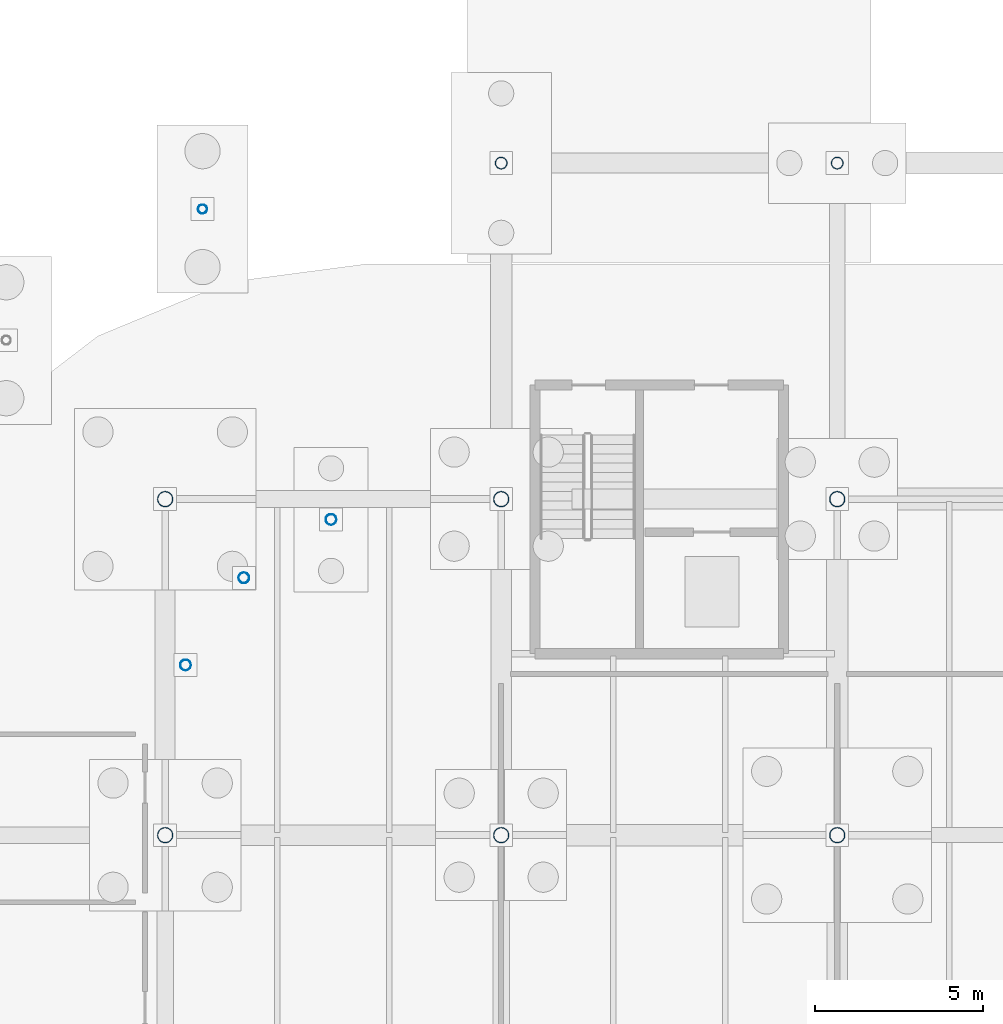
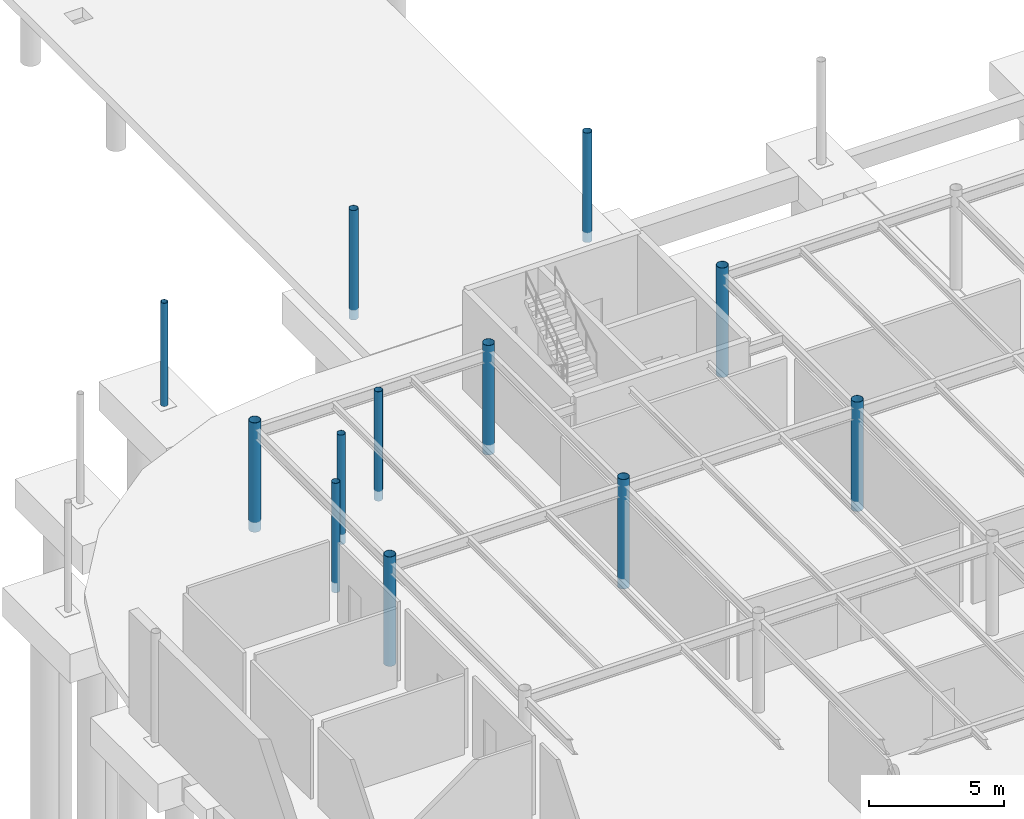
# One storey, part 23 of 75: 12 columns.
"""IFC4 building model written with IfcOpenShell, lengths in metres."""

import ifcopenshell
import ifcopenshell.guid

model = None  # the IFC model being written
_history = None  # IfcOwnerHistory: only IFC2X3 demands one
_inside = {}  # id of a spatial element -> (the spatial element, [elements in it])
_under = {}  # id of a project, library or spatial element -> (it, [spatial elements below it])
_declared = {}  # id of a project -> (the project, [libraries it declares])
_typed = {}  # id of a type object -> (the type object, [elements of that type])
_made_of = {}  # id of a material, layer set ... -> (it, [elements and type objects made of it])


def new_model(schema):
    """Start an empty IFC model of exactly this schema.

    Asked for "IFC4X3", IfcOpenShell would pick the latest addendum, in which some entities
    have other attributes; the version numbers below select the first issue.
    IFC2X3 requires an IfcOwnerHistory on every rooted entity: one is made here for all.
    """
    global model, _history
    if schema == "IFC4X3":
        model = ifcopenshell.file(schema_version=(4, 3, 0, 0))
    else:
        model = ifcopenshell.file(schema=schema)
    _inside.clear()
    _under.clear()
    _declared.clear()
    _typed.clear()
    _made_of.clear()
    _history = None
    if model.schema == "IFC2X3":
        org = make("IfcOrganization", Name="unknown")
        user = make(
            "IfcPersonAndOrganization",
            ThePerson=make("IfcPerson", FamilyName="unknown"),
            TheOrganization=org,
        )
        app = make(
            "IfcApplication",
            ApplicationDeveloper=org,
            Version="unknown",
            ApplicationFullName="unknown",
            ApplicationIdentifier="unknown",
        )
        _history = make(
            "IfcOwnerHistory",
            OwningUser=user,
            OwningApplication=app,
            ChangeAction="ADDED",
            CreationDate=0,
        )
    return model


def make(cls, **values):
    """One entity of the class cls with the attributes given. An attribute that is None is left unset."""
    return model.create_entity(
        cls, **{name: value for name, value in values.items() if value is not None}
    )


def rooted(cls, **values):
    """An entity with a GlobalId (a new one), such as an element, a storey or a relation."""
    return make(cls, GlobalId=ifcopenshell.guid.new(), OwnerHistory=_history, **values)


def si_unit(unit_type, name, prefix=None):
    """IfcSIUnit, for example si_unit("LENGTHUNIT", "METRE", prefix="MILLI")."""
    return make("IfcSIUnit", UnitType=unit_type, Prefix=prefix, Name=name)


def derived_unit(unit_type, elements):
    """IfcDerivedUnit: a product of units, each with its exponent."""
    return make(
        "IfcDerivedUnit",
        Elements=[
            make("IfcDerivedUnitElement", Unit=unit, Exponent=power)
            for unit, power in elements
        ],
        UnitType=unit_type,
    )


def assignment(units):
    """IfcUnitAssignment: the units of a project."""
    return None if units is None else make("IfcUnitAssignment", Units=units)


def point(xyz):
    """IfcCartesianPoint."""
    return None if xyz is None else make("IfcCartesianPoint", Coordinates=xyz)


def direction(xyz):
    """IfcDirection."""
    return None if xyz is None else make("IfcDirection", DirectionRatios=xyz)


def frame(location, z_axis=None, x_axis=None):
    """IfcAxis2Placement3D, a coordinate frame: its origin and axes. An axis left out is left unset."""
    return make(
        "IfcAxis2Placement3D",
        Location=point(location),
        Axis=direction(z_axis),
        RefDirection=direction(x_axis),
    )


def frame_2d(location, x_axis=None):
    """IfcAxis2Placement2D, a coordinate frame in the plane: its origin and x axis."""
    return make(
        "IfcAxis2Placement2D", Location=point(location), RefDirection=direction(x_axis)
    )


def origin():
    """The frame at (0, 0, 0) with its axes left unset."""
    return frame((0.0, 0.0, 0.0))


def origin_2d_with_axis():
    """The frame at (0, 0) in the plane with the x axis (1, 0) written out."""
    return frame_2d((0.0, 0.0), x_axis=(1.0, 0.0))


def place(relative_to, where):
    """IfcLocalPlacement: puts the frame where relative to a parent placement (None: the world)."""
    return make(
        "IfcLocalPlacement", PlacementRelTo=relative_to, RelativePlacement=where
    )


def context(
    kind, dimensions, precision=None, world=None, true_north=None, identifier=None
):
    """IfcGeometricRepresentationContext, for example the 3D "Model" context."""
    return make(
        "IfcGeometricRepresentationContext",
        ContextIdentifier=identifier,
        ContextType=kind,
        CoordinateSpaceDimension=dimensions,
        Precision=precision,
        WorldCoordinateSystem=world,
        TrueNorth=true_north,
    )


def subcontext(parent, identifier, kind, view, scale=None):
    """IfcGeometricRepresentationSubContext, for example "Body" below "Model"."""
    return make(
        "IfcGeometricRepresentationSubContext",
        ContextIdentifier=identifier,
        ContextType=kind,
        ParentContext=parent,
        TargetScale=scale,
        TargetView=view,
    )


def project(units=None, contexts=None):
    """IfcProject with its units and contexts."""
    return rooted(
        "IfcProject",
        Name="project",
        RepresentationContexts=contexts,
        UnitsInContext=assignment(units),
    )


def spatial(cls, under=None, at=None, **own):
    """A site, building, storey or space (cls), placed at a placement, below another one or the project."""
    s = rooted(cls, ObjectPlacement=at, **own)
    if under is not None:
        _under.setdefault(under.id(), (under, []))[1].append(s)
    return s


def profile(cls, at=None, kind="AREA", **sizes):
    """A parametric profile (cls). Its sizes go by their IFC names, for example OverallWidth=200.0."""
    return make(cls, ProfileType=kind, Position=at, **sizes)


def hollow_circle(**sizes):
    """IfcCircleHollowProfileDef."""
    return profile("IfcCircleHollowProfileDef", **sizes)


def extrude(swept, where, along, depth):
    """IfcExtrudedAreaSolid: the profile swept, set in the frame where, extruded along a direction by depth."""
    return make(
        "IfcExtrudedAreaSolid",
        SweptArea=swept,
        Position=where,
        ExtrudedDirection=direction(along),
        Depth=depth,
    )


def shape(context_of_items, identifier, shape_type, items):
    """IfcShapeRepresentation: the items that make up one representation, for example the "Body"."""
    return make(
        "IfcShapeRepresentation",
        ContextOfItems=context_of_items,
        RepresentationIdentifier=identifier,
        RepresentationType=shape_type,
        Items=items,
    )


def material(Name=None, Category=None):
    """IfcMaterial."""
    return make("IfcMaterial", Name=Name, Category=Category)


def material_profile(
    of_material, cross_section, Name=None, Category=None, Priority=None
):
    """IfcMaterialProfile: a cross section and its material."""
    return make(
        "IfcMaterialProfile",
        Name=Name,
        Material=of_material,
        Profile=cross_section,
        Priority=Priority,
        Category=Category,
    )


def profile_set(profiles, Name=None, composite=None):
    """IfcMaterialProfileSet."""
    return make(
        "IfcMaterialProfileSet",
        Name=Name,
        MaterialProfiles=profiles,
        CompositeProfile=composite,
    )


def made_of(thing, what):
    """Note that an element or type object is made of a material, layer set ...; save() writes the relation."""
    if what is not None:
        _made_of.setdefault(what.id(), (what, []))[1].append(thing)
    return thing


def type_object(cls, material=None, **own):
    """A type object (cls), such as IfcWallType, which elements share."""
    return made_of(rooted(cls, **own), material)


def element(
    cls,
    number,
    at=None,
    inside=None,
    cuts=None,
    type_object=None,
    material=None,
    context=None,
    identifier="Body",
    shape_type=None,
    held_by="IfcProductDefinitionShape",
    body=None,
    shapes=None,
    **own,
):
    """One element of the class cls, such as IfcWall. Its Tag is "e" and its number.

    at: its placement. inside: the storey or other place that contains it. cuts: it is an
    opening in that element (IfcRelVoidsElement). A single representation is given by context,
    identifier, shape_type and body (its items); several are given by shapes. held_by: the class
    of the entity that holds the representations. save() writes the other relations.
    """
    e = rooted(cls, Tag="e%d" % number, ObjectPlacement=at, **own)
    if body is not None:
        shapes = [shape(context, identifier, shape_type, body)]
    if shapes is not None:
        e.Representation = make(held_by, Representations=shapes)
    if inside is not None:
        _inside.setdefault(inside.id(), (inside, []))[1].append(e)
    if cuts is not None:
        rooted(
            "IfcRelVoidsElement", RelatingBuildingElement=cuts, RelatedOpeningElement=e
        )
    if type_object is not None:
        _typed.setdefault(type_object.id(), (type_object, []))[1].append(e)
    return made_of(e, material)


def aggregate(whole, parts):
    """IfcRelAggregates: a whole, such as a stair, and the parts it consists of."""
    return rooted("IfcRelAggregates", RelatingObject=whole, RelatedObjects=parts)


def save(model, path):
    """Write the relations noted so far, then the file.

    IfcRelAggregates (storeys below a building ...), IfcRelContainedInSpatialStructure (elements
    in a storey), IfcRelDefinesByType, IfcRelAssociatesMaterial and IfcRelDeclares: one each for
    every whole, place, type object, material and project.
    """
    for whole, parts in _under.values():
        aggregate(whole, parts)
    for where, things in _inside.values():
        rooted(
            "IfcRelContainedInSpatialStructure",
            RelatedElements=things,
            RelatingStructure=where,
        )
    for kind, things in _typed.values():
        rooted("IfcRelDefinesByType", RelatedObjects=things, RelatingType=kind)
    for what, things in _made_of.values():
        rooted("IfcRelAssociatesMaterial", RelatedObjects=things, RelatingMaterial=what)
    for by, libraries in _declared.values():
        rooted("IfcRelDeclares", RelatingContext=by, RelatedDefinitions=libraries)
    model.write(path)


model = new_model("IFC4")

# Units and contexts
model_context = context("Model", 3, precision=1e-05, world=origin(), true_north=direction((0.0, 1.0)))
body_context = subcontext(model_context, "Body", "Model", "MODEL_VIEW")
ifc_project = project(units=[si_unit("LENGTHUNIT", "METRE"), si_unit("AREAUNIT", "SQUARE_METRE"), si_unit("VOLUMEUNIT", "CUBIC_METRE"), si_unit("PLANEANGLEUNIT", "RADIAN"), si_unit("MASSUNIT", "GRAM", prefix="KILO"), derived_unit("THERMALTRANSMITTANCEUNIT", [(si_unit("POWERUNIT", "WATT"), 1), (si_unit("LENGTHUNIT", "METRE"), -2), (si_unit("THERMODYNAMICTEMPERATUREUNIT", "KELVIN"), -1)])], contexts=[model_context])

# Site, building, storey
site_placement = place(None, origin())
site = spatial("IfcSite", under=ifc_project, at=site_placement, CompositionType="ELEMENT")
building_placement = place(site_placement, origin())
building = spatial("IfcBuilding", under=site, at=building_placement, Name="Cinnabar Yard Market Hall", CompositionType="ELEMENT")
storey_placement = place(building_placement, frame((0.0, 0.0, -4.5)))
storey = spatial("IfcBuildingStorey", under=building, at=storey_placement, Name="B1", CompositionType="ELEMENT", Elevation=-4.5)

# Columns
ifc_material = material(Name="Spotted-gum glulam-clad steel Grade 350 (350 MPa)", Category="steel")
ifc_material_profile_1 = material_profile(ifc_material, hollow_circle(Radius=0.228515625, WallThickness=0.0126953125, at=origin_2d_with_axis()), Name="457.0x12.7CHS")
ifc_profile_set_1 = profile_set([ifc_material_profile_1], Name="Spotted-gum glulam-clad steel Grade 350 (350 MPa)")
column_type_1 = type_object("IfcColumnType", Name="COL-C01", PredefinedType="COLUMN", material=ifc_profile_set_1)
for number, where, z_axis, x_axis, name in (
    (1, (76.0, 54.0, -0.449951171875), (0.0, 0.0, 1.0), (1.0, 0.0, 0.0), "Tree Column V1I-01-04 B1"),
    (2, (76.0, 64.0, -0.449951171875), (0.0, 0.0, 1.0), (1.0, 0.0, 0.0), "Tree Column V1I-01-05 B1"),
    (3, (86.0, 54.0, -0.449951171875), (0.0, 0.0, 1.0), (1.0, 0.0, 0.0), "Tree Column V1I-02-04 B1"),
    (4, (86.0, 64.0, -0.449951171875), (0.0, 0.0, 1.0), (1.0, 0.0, 0.0), "Tree Column V1I-02-05 B1"),
    (5, (96.0, 54.0, -0.449951171875), (0.0, 0.0, 1.0), (1.0, 0.0, 0.0), "Tree Column V1I-03-04 B1"),
    (6, (96.0, 64.0, -0.449951171875), (0.0, 0.0, 1.0), (1.0, 0.0, 0.0), "Tree Column V1I-03-05 B1"),
):
    element("IfcColumn", number, at=place(storey_placement, frame(where, z_axis=z_axis, x_axis=x_axis)), inside=storey, type_object=column_type_1, Name=name, PredefinedType="COLUMN", context=body_context, shape_type="SweptSolid", body=[
        extrude(hollow_circle(Radius=0.228515625, WallThickness=0.0126953125, at=origin_2d_with_axis()), origin(), (0.0, 0.0, 1.0), 4.949951171875),
    ])
ifc_material_profile_2 = material_profile(ifc_material, hollow_circle(Radius=0.177734375, WallThickness=0.0126953125, at=origin_2d_with_axis()), Name="355.6x12.7CHS")
ifc_profile_set_2 = profile_set([ifc_material_profile_2], Name="Spotted-gum glulam-clad steel Grade 350 (350 MPa)")
column_type_2 = type_object("IfcColumnType", Name="COL-C02", PredefinedType="COLUMN", material=ifc_profile_set_2)
for number, where, z_axis, x_axis, name in (
    (7, (86.0, 74.0, -0.449951171875), (0.0, 0.0, 1.0), (1.0, 0.0, 0.0), "Tree Column V1N-01 B1"),
    (8, (96.0, 74.0, -0.449951171875), (0.0, 0.0, 1.0), (1.0, 0.0, 0.0), "Tree Column V1N-02 B1"),
):
    element("IfcColumn", number, at=place(storey_placement, frame(where, z_axis=z_axis, x_axis=x_axis)), inside=storey, type_object=column_type_2, Name=name, PredefinedType="COLUMN", context=body_context, shape_type="SweptSolid", body=[
        extrude(hollow_circle(Radius=0.177734375, WallThickness=0.0126953125, at=origin_2d_with_axis()), origin(), (0.0, 0.0, 1.0), 4.949951171875),
    ])
ifc_material_profile_3 = material_profile(ifc_material, hollow_circle(Radius=0.161865234375, WallThickness=0.009521484375, at=origin_2d_with_axis()), Name="323.9x9.5CHS")
ifc_profile_set_3 = profile_set([ifc_material_profile_3], Name="Spotted-gum glulam-clad steel Grade 350 (350 MPa)")
column_type_3 = type_object("IfcColumnType", Name="COL-C03", PredefinedType="COLUMN", material=ifc_profile_set_3)
for number, where, z_axis, x_axis, name in (
    (9, (80.9384765625, 63.39111328125, -0.449951171875), (0.0, 0.0, 1.0), (1.0, 0.0, 0.0), "Tree Column V1IC-NW2 B1"),
    (10, (78.343017578125, 61.656982421875, -0.449951171875), (0.0, 0.0, 1.0), (1.0, 0.0, 0.0), "Tree Column V1IC-NW4 B1"),
    (11, (76.60888671875, 59.0615234375, -0.449951171875), (0.0, 0.0, 1.0), (1.0, 0.0, 0.0), "Tree Column V1IC-NW6 B1"),
):
    element("IfcColumn", number, at=place(storey_placement, frame(where, z_axis=z_axis, x_axis=x_axis)), inside=storey, type_object=column_type_3, Name=name, PredefinedType="COLUMN", context=body_context, shape_type="SweptSolid", body=[
        extrude(hollow_circle(Radius=0.161865234375, WallThickness=0.009521484375, at=origin_2d_with_axis()), origin(), (0.0, 0.0, 1.0), 4.949951171875),
    ])
ifc_material_profile_4 = material_profile(ifc_material, hollow_circle(Radius=0.136474609375, WallThickness=0.00927734375, at=origin_2d_with_axis()), Name="273.1x9.3CHS")
ifc_profile_set_4 = profile_set([ifc_material_profile_4], Name="Spotted-gum glulam-clad steel Grade 350 (350 MPa)")
column_type_4 = type_object("IfcColumnType", Name="COL-C04", PredefinedType="COLUMN", material=ifc_profile_set_4)
column_placement = place(storey_placement, frame((77.11181640625, 72.6298828125, -0.449951171875), z_axis=(0.0, 0.0, 1.0), x_axis=(1.0, 0.0, 0.0)))
element("IfcColumn", 12, at=column_placement, inside=storey, type_object=column_type_4, Name="Tree Column V1C-NW2 B1", PredefinedType="COLUMN", context=body_context, shape_type="SweptSolid", body=[
    extrude(hollow_circle(Radius=0.136474609375, WallThickness=0.00927734375, at=origin_2d_with_axis()), origin(), (0.0, 0.0, 1.0), 4.669921875),
])

save(model, "model.ifc")
